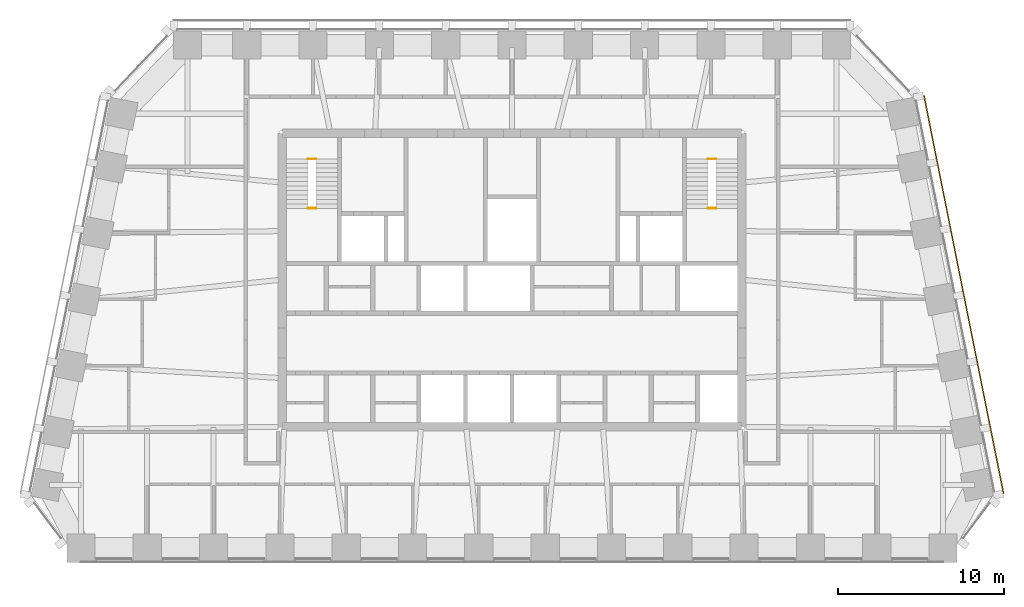
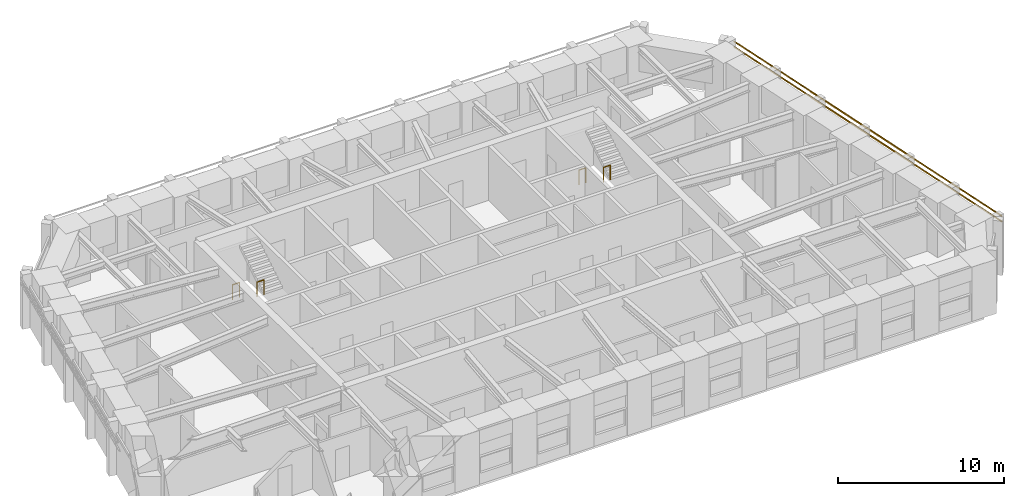
# One storey, part 9 of 10: 4 railings, 2 shading devices.
"""IFC4 building model written with IfcOpenShell, lengths in metres."""

from ifc_helpers import new_model, si_unit, direction, frame, origin, origin_2d, place, context, subcontext, project, spatial, rectangle, circle, extrude, material, material_profile, profile_set, type_object, element, save


model = new_model("IFC4")

# Units and contexts
model_context = context("Model", 3, precision=1e-05, world=origin(), true_north=direction((0.0, 1.0)))
body_context = subcontext(model_context, "Body", "Model", "MODEL_VIEW")
ifc_project = project(units=[si_unit("LENGTHUNIT", "METRE"), si_unit("AREAUNIT", "SQUARE_METRE"), si_unit("VOLUMEUNIT", "CUBIC_METRE"), si_unit("PLANEANGLEUNIT", "RADIAN"), si_unit("MASSUNIT", "GRAM", prefix="KILO")], contexts=[model_context])

# Site, building, storey
site_placement = place(None, origin())
site = spatial("IfcSite", under=ifc_project, at=site_placement, CompositionType="ELEMENT")
building_placement = place(site_placement, origin())
building = spatial("IfcBuilding", under=site, at=building_placement, Name="Isbrekke Arena Tower", CompositionType="ELEMENT")
storey_placement = place(building_placement, frame((0.0, 0.0, 300.0)))
storey = spatial("IfcBuildingStorey", under=building, at=storey_placement, Name="L70", CompositionType="ELEMENT", Elevation=300.0)

# Shading devices
ifc_material_1 = material(Name="Terracotta", Category="masonry")
ifc_material_profile = material_profile(ifc_material_1, rectangle(XDim=0.06005859375, YDim=0.06005859375, at=origin_2d()), Name="BAGUETTE 60X60")
ifc_profile_set = profile_set([ifc_material_profile], Name="Terracotta")
shading_device_type = type_object("IfcShadingDeviceType", Name="BG1 TERRACOTTA BAGUETTE 60 x 60", PredefinedType="USERDEFINED", material=ifc_profile_set)
for number, where, z_axis, x_axis, name in (
    (1, (29.642333984375, 2.12841796875, 3.280029296875), (-0.196118053403, 0.980580292036, 0.0), (-0.980580292036, -0.196118053403, 0.0), "BG1 terracotta baguette E1 L70"),
    (2, (29.642333984375, 2.12841796875, 3.679931640625), (-0.196118053403, 0.980580292036, 0.0), (-0.980580292036, -0.196118053403, 0.0), "BG1 terracotta baguette E2 L70"),
):
    element("IfcShadingDevice", number, at=place(storey_placement, frame(where, z_axis=z_axis, x_axis=x_axis)), inside=storey, type_object=shading_device_type, Name=name, ObjectType="TERRACOTTA BAGUETTE", PredefinedType="USERDEFINED", context=body_context, shape_type="SweptSolid", body=[
        extrude(rectangle(XDim=0.06005859375, YDim=0.06005859375, at=origin_2d()), origin(), (0.0, 0.0, 1.0), 24.475341796875),
    ])

# Railings
ifc_material_2 = material(Name="Steel stair guard, vertical bars, steel handrail", Category="steel")
railing_type = type_object("IfcRailingType", Name="GR3 STAIR WELL GUARD 1100", PredefinedType="GUARDRAIL", material=ifc_material_2)
for number, where, name in (
    (3, (-12.300048828125, 22.300048828125, 0.0), "GR3 stair well guard ST1 L70"),
    (4, (-12.300048828125, 19.330078125, 2.0), "GR3 stair well guard ST1 L70"),
    (5, (11.824951171875, 22.300048828125, 0.0), "GR3 stair well guard ST2 L70"),
    (6, (11.824951171875, 19.330078125, 2.0), "GR3 stair well guard ST2 L70"),
):
    element("IfcRailing", number, at=place(storey_placement, frame(where)), inside=storey, type_object=railing_type, Name=name, PredefinedType="GUARDRAIL", context=body_context, shape_type="SweptSolid", body=[
        extrude(circle(Radius=0.02392578125, at=origin_2d()), frame((0.0, 0.0, 1.076171875), z_axis=(1.0, 0.0, 0.0), x_axis=(0.0, 1.0, 0.0)), (0.0, 0.0, 1.0), 0.47509765625),
        extrude(circle(Radius=0.02099609375, at=origin_2d()), origin(), (0.0, 0.0, 1.0), 1.052001953125),
        extrude(circle(Radius=0.02099609375, at=origin_2d()), frame((0.47509765625, 0.0, 0.0)), (0.0, 0.0, 1.0), 1.052001953125),
    ])

save(model, "model.ifc")
